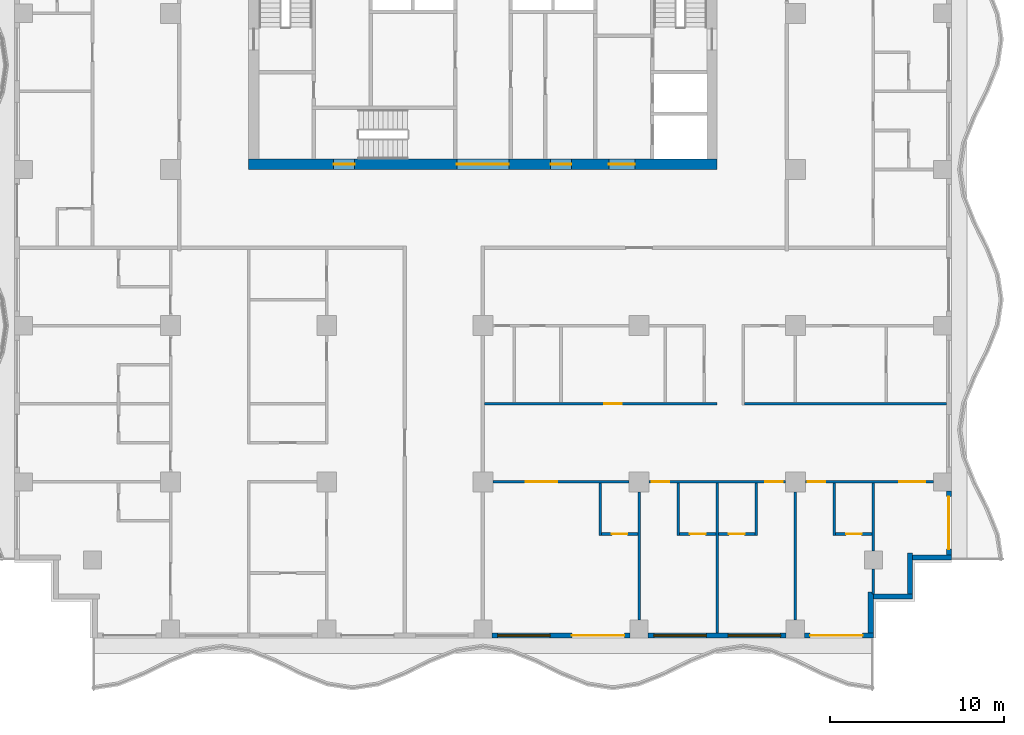
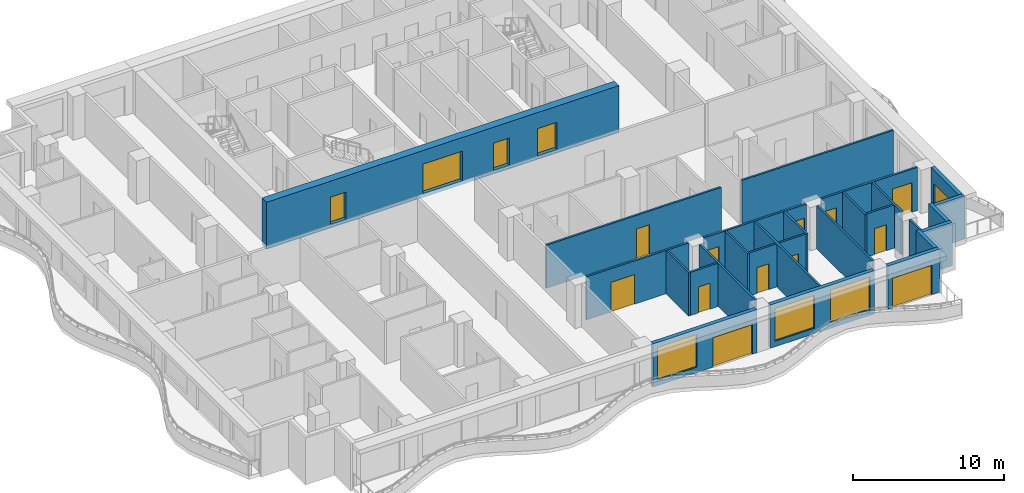
# One storey, part 3 of 11: 27 walls, 17 doors, 3 windows, 20 openings.
"""IFC4 building model written with IfcOpenShell, lengths in metres."""

from ifc_helpers import new_model, si_unit, direction, frame, frame_2d, origin, place, context, subcontext, project, spatial, rectangle, extrude, material, layer, layer_set, type_object, element, fill, save


model = new_model("IFC4")

# Units and contexts
model_context = context("Model", 3, precision=1e-05, world=origin(), true_north=direction((0.0, 1.0)))
body_context = subcontext(model_context, "Body", "Model", "MODEL_VIEW")
ifc_project = project(units=[si_unit("LENGTHUNIT", "METRE"), si_unit("AREAUNIT", "SQUARE_METRE"), si_unit("VOLUMEUNIT", "CUBIC_METRE"), si_unit("PLANEANGLEUNIT", "RADIAN"), si_unit("MASSUNIT", "GRAM", prefix="KILO")], contexts=[model_context])

# Site, building, storey
site_placement = place(None, origin())
site = spatial("IfcSite", under=ifc_project, at=site_placement, CompositionType="ELEMENT")
building_placement = place(site_placement, origin())
building = spatial("IfcBuilding", under=site, at=building_placement, Name="Orbiselva Terraces", CompositionType="ELEMENT")
storey_placement = place(building_placement, frame((0.0, 0.0, 188.2)))
storey = spatial("IfcBuildingStorey", under=building, at=storey_placement, Name="L47", CompositionType="ELEMENT", Elevation=188.2)

# Wall, openings, doors
ifc_material_1 = material(Name="Concrete C80/95", Category="concrete")
ifc_layer_1 = layer(ifc_material_1, 0.6)
ifc_layer_set_1 = layer_set([ifc_layer_1], Name="Concrete C80/95")
wall_type_1 = type_object("IfcWallType", Name="CORE WALL 600", PredefinedType="SHEAR", material=ifc_layer_set_1)
wall_1_placement = place(storey_placement, frame((-13.5, 4.8, -0.3), z_axis=(0.0, 0.0, 1.0), x_axis=(1.0, 0.0, 0.0)))
wall_1 = element("IfcWall", 1, at=wall_1_placement, inside=storey, type_object=wall_type_1, Name="Core wall L47 south", PredefinedType="SHEAR", context=body_context, shape_type="SweptSolid", body=[
    extrude(rectangle(XDim=27.0, YDim=0.6, at=frame_2d((13.5, 0.0))), origin(), (0.0, 0.0, 1.0), 3.8),
])
opening_1_placement = place(wall_1_placement, frame((12.0, 0.0, 0.3)))
opening_1 = element("IfcOpeningElement", 2, at=opening_1_placement, cuts=wall_1, Name="Opening DL3000", PredefinedType="OPENING", context=body_context, shape_type="SweptSolid", body=[
    extrude(rectangle(XDim=3.0, YDim=2.4, at=frame_2d((1.5, 1.2))), frame((0.0, 0.31, 0.0), z_axis=(0.0, -1.0, 0.0), x_axis=(1.0, 0.0, 0.0)), (0.0, 0.0, 1.0), 0.62),
])
opening_2_placement = place(wall_1_placement, frame((4.9, 0.0, 0.3)))
opening_2 = element("IfcOpeningElement", 3, at=opening_2_placement, cuts=wall_1, Name="Opening DS1200", PredefinedType="OPENING", context=body_context, shape_type="SweptSolid", body=[
    extrude(rectangle(XDim=1.2, YDim=2.2, at=frame_2d((0.6, 1.1))), frame((0.0, 0.31, 0.0), z_axis=(0.0, -1.0, 0.0), x_axis=(1.0, 0.0, 0.0)), (0.0, 0.0, 1.0), 0.62),
])
opening_3_placement = place(wall_1_placement, frame((20.75, 0.0, 0.3)))
opening_3 = element("IfcOpeningElement", 4, at=opening_3_placement, cuts=wall_1, Name="Opening DF1500", PredefinedType="OPENING", context=body_context, shape_type="SweptSolid", body=[
    extrude(rectangle(XDim=1.5, YDim=2.2, at=frame_2d((0.75, 1.1))), frame((0.0, 0.31, 0.0), z_axis=(0.0, -1.0, 0.0), x_axis=(1.0, 0.0, 0.0)), (0.0, 0.0, 1.0), 0.62),
])
opening_4_placement = place(wall_1_placement, frame((17.4, 0.0, 0.3)))
opening_4 = element("IfcOpeningElement", 5, at=opening_4_placement, cuts=wall_1, Name="Opening DV1200", PredefinedType="OPENING", context=body_context, shape_type="SweptSolid", body=[
    extrude(rectangle(XDim=1.2, YDim=2.2, at=frame_2d((0.6, 1.1))), frame((0.0, 0.31, 0.0), z_axis=(0.0, -1.0, 0.0), x_axis=(1.0, 0.0, 0.0)), (0.0, 0.0, 1.0), 0.62),
])
ifc_material_2 = material(Name="Steel fire door", Category="steel")
door_type_1 = type_object("IfcDoorType", Name="FFL DOOR 1500", OperationType="DOUBLE_DOOR_SINGLE_SWING", PredefinedType="DOOR", material=ifc_material_2)
door_1_placement = place(opening_3_placement, frame((1.5, 0.0, 0.0), z_axis=(0.0, 0.0, 1.0), x_axis=(-1.0, 0.0, 0.0)))
door_1 = element("IfcDoor", 6, at=door_1_placement, inside=storey, type_object=door_type_1, Name="L47 FIRE-FIGHTING LOBBY door", OperationType="DOUBLE_DOOR_SINGLE_SWING", OverallHeight=2.2, OverallWidth=1.5, PredefinedType="DOOR", context=body_context, shape_type="SweptSolid", body=[
    extrude(rectangle(XDim=1.5, YDim=2.2, at=frame_2d((0.75, 1.1))), frame((0.0, 0.025, 0.0), z_axis=(0.0, -1.0, 0.0), x_axis=(1.0, 0.0, 0.0)), (0.0, 0.0, 1.0), 0.05),
])
fill(opening_3, door_1)
door_type_2 = type_object("IfcDoorType", Name="LOBBY DOOR 3000", OperationType="DOUBLE_DOOR_SINGLE_SWING", PredefinedType="DOOR", material=ifc_material_2)
door_2_placement = place(opening_1_placement, frame((3.0, 0.0, 0.0), z_axis=(0.0, 0.0, 1.0), x_axis=(-1.0, 0.0, 0.0)))
door_2 = element("IfcDoor", 7, at=door_2_placement, inside=storey, type_object=door_type_2, Name="L47 LIFT LOBBY door", OperationType="DOUBLE_DOOR_SINGLE_SWING", OverallHeight=2.4, OverallWidth=3.0, PredefinedType="DOOR", context=body_context, shape_type="SweptSolid", body=[
    extrude(rectangle(XDim=3.0, YDim=2.4, at=frame_2d((1.5, 1.2))), frame((0.0, 0.025, 0.0), z_axis=(0.0, -1.0, 0.0), x_axis=(1.0, 0.0, 0.0)), (0.0, 0.0, 1.0), 0.05),
])
fill(opening_1, door_2)
door_type_3 = type_object("IfcDoorType", Name="SERVICE DOOR 1200", OperationType="NOTDEFINED", PredefinedType="DOOR", material=ifc_material_2)
door_3_placement = place(opening_4_placement, frame((1.2, 0.0, 0.0), z_axis=(0.0, 0.0, 1.0), x_axis=(-1.0, 0.0, 0.0)))
door_3 = element("IfcDoor", 8, at=door_3_placement, inside=storey, type_object=door_type_3, Name="L47 SERVICE ROOM door", OperationType="SINGLE_SWING_RIGHT", OverallHeight=2.2, OverallWidth=1.2, PredefinedType="DOOR", context=body_context, shape_type="SweptSolid", body=[
    extrude(rectangle(XDim=1.2, YDim=2.2, at=frame_2d((0.6, 1.1))), frame((0.0, 0.025, 0.0), z_axis=(0.0, -1.0, 0.0), x_axis=(1.0, 0.0, 0.0)), (0.0, 0.0, 1.0), 0.05),
])
fill(opening_4, door_3)
door_type_4 = type_object("IfcDoorType", Name="STAIR DOOR 1200", OperationType="NOTDEFINED", PredefinedType="DOOR", material=ifc_material_2)
door_4_placement = place(opening_2_placement, frame((1.2, 0.0, 0.0), z_axis=(0.0, 0.0, 1.0), x_axis=(-1.0, 0.0, 0.0)))
door_4 = element("IfcDoor", 9, at=door_4_placement, inside=storey, type_object=door_type_4, Name="L47 EXIT STAIR S3 door", OperationType="SINGLE_SWING_LEFT", OverallHeight=2.2, OverallWidth=1.2, PredefinedType="DOOR", context=body_context, shape_type="SweptSolid", body=[
    extrude(rectangle(XDim=1.2, YDim=2.2, at=frame_2d((0.6, 1.1))), frame((0.0, 0.025, 0.0), z_axis=(0.0, -1.0, 0.0), x_axis=(1.0, 0.0, 0.0)), (0.0, 0.0, 1.0), 0.05),
])
fill(opening_2, door_4)

# Wall, openings, door, window
ifc_material_3 = material(Name="Terracotta cladding on masonry backing", Category="masonry")
ifc_layer_2 = layer(ifc_material_3, 0.3)
ifc_layer_set_2 = layer_set([ifc_layer_2], Name="Terracotta cladding on masonry backing")
wall_type_2 = type_object("IfcWallType", Name="ENV-WALL-TERRACOTTA-300", PredefinedType="SOLIDWALL", material=ifc_layer_set_2)
wall_2_placement = place(storey_placement, frame((8.475, -22.35, 0.0), z_axis=(0.0, 0.0, 1.0), x_axis=(-1.0, 0.0, 0.0)))
wall_2 = element("IfcWall", 10, at=wall_2_placement, inside=storey, type_object=wall_type_2, Name="Facade wall L47 S", PredefinedType="SOLIDWALL", context=body_context, shape_type="SweptSolid", body=[
    extrude(rectangle(XDim=7.95, YDim=0.3, at=frame_2d((3.975, 0.0))), origin(), (0.0, 0.0, 1.0), 3.5),
])
opening_5_placement = place(wall_2_placement, frame((4.6, 0.0, 0.45)))
opening_5 = element("IfcOpeningElement", 11, at=opening_5_placement, cuts=wall_2, Name="Opening WN14", PredefinedType="OPENING", context=body_context, shape_type="SweptSolid", body=[
    extrude(rectangle(XDim=3.025, YDim=2.65, at=frame_2d((1.5125, 1.325))), frame((0.0, 0.16, 0.0), z_axis=(0.0, -1.0, 0.0), x_axis=(1.0, 0.0, 0.0)), (0.0, 0.0, 1.0), 0.32),
])
opening_6_placement = place(wall_2_placement, frame((0.325, 0.0, 0.0)))
opening_6 = element("IfcOpeningElement", 12, at=opening_6_placement, cuts=wall_2, Name="Opening Z4-A-E03", PredefinedType="OPENING", context=body_context, shape_type="SweptSolid", body=[
    extrude(rectangle(XDim=3.025, YDim=2.4, at=frame_2d((1.5125, 1.2))), frame((0.0, 0.16, 0.0), z_axis=(0.0, -1.0, 0.0), x_axis=(1.0, 0.0, 0.0)), (0.0, 0.0, 1.0), 0.32),
])
ifc_material_4 = material(Name="Clear low-e glazing in aluminium frame", Category="aluminium")
door_type_5 = type_object("IfcDoorType", Name="BALCONY DOOR 3025 X 2400", OperationType="DOUBLE_DOOR_SLIDING", PredefinedType="DOOR", material=ifc_material_4)
door_5_placement = place(opening_6_placement, origin())
door_5 = element("IfcDoor", 13, at=door_5_placement, inside=storey, type_object=door_type_5, Name="Z4-A-E03", OperationType="SINGLE_SWING_LEFT", OverallHeight=2.4, OverallWidth=3.025, PredefinedType="DOOR", context=body_context, shape_type="SweptSolid", body=[
    extrude(rectangle(XDim=3.025, YDim=2.4, at=frame_2d((1.5125, 1.2))), frame((0.0, 0.025, 0.0), z_axis=(0.0, -1.0, 0.0), x_axis=(1.0, 0.0, 0.0)), (0.0, 0.0, 1.0), 0.05),
])
fill(opening_6, door_5)
window_type = type_object("IfcWindowType", Name="WINDOW 3025 X 2650 S450", PartitioningType="TRIPLE_PANEL_VERTICAL", PredefinedType="WINDOW", material=ifc_material_4)
window_1_placement = place(opening_5_placement, origin())
window_1 = element("IfcWindow", 14, at=window_1_placement, inside=storey, type_object=window_type, Name="Window L47 S", OverallHeight=2.65, OverallWidth=3.025, PartitioningType="SINGLE_PANEL", PredefinedType="WINDOW", context=body_context, shape_type="SweptSolid", body=[
    extrude(rectangle(XDim=3.025, YDim=2.65, at=frame_2d((1.5125, 1.325))), frame((0.0, 0.03, 0.0), z_axis=(0.0, -1.0, 0.0), x_axis=(1.0, 0.0, 0.0)), (0.0, 0.0, 1.0), 0.06),
])
fill(opening_5, window_1)

# Wall, openings, windows
wall_3_placement = place(storey_placement, frame((17.475, -22.35, 0.0), z_axis=(0.0, 0.0, 1.0), x_axis=(-1.0, 0.0, 0.0)))
wall_3 = element("IfcWall", 15, at=wall_3_placement, inside=storey, type_object=wall_type_2, Name="Facade wall L47 S", PredefinedType="SOLIDWALL", context=body_context, shape_type="SweptSolid", body=[
    extrude(rectangle(XDim=7.95, YDim=0.3, at=frame_2d((3.975, 0.0))), origin(), (0.0, 0.0, 1.0), 3.5),
])
opening_7_placement = place(wall_3_placement, frame((4.6, 0.0, 0.45)))
opening_7 = element("IfcOpeningElement", 16, at=opening_7_placement, cuts=wall_3, Name="Opening WN14", PredefinedType="OPENING", context=body_context, shape_type="SweptSolid", body=[
    extrude(rectangle(XDim=3.025, YDim=2.65, at=frame_2d((1.5125, 1.325))), frame((0.0, 0.16, 0.0), z_axis=(0.0, -1.0, 0.0), x_axis=(1.0, 0.0, 0.0)), (0.0, 0.0, 1.0), 0.32),
])
opening_8_placement = place(wall_3_placement, frame((0.325, 0.0, 0.45)))
opening_8 = element("IfcOpeningElement", 17, at=opening_8_placement, cuts=wall_3, Name="Opening WN14", PredefinedType="OPENING", context=body_context, shape_type="SweptSolid", body=[
    extrude(rectangle(XDim=3.025, YDim=2.65, at=frame_2d((1.5125, 1.325))), frame((0.0, 0.16, 0.0), z_axis=(0.0, -1.0, 0.0), x_axis=(1.0, 0.0, 0.0)), (0.0, 0.0, 1.0), 0.32),
])
window_2_placement = place(opening_7_placement, origin())
window_2 = element("IfcWindow", 18, at=window_2_placement, inside=storey, type_object=window_type, Name="Window L47 S", OverallHeight=2.65, OverallWidth=3.025, PartitioningType="SINGLE_PANEL", PredefinedType="WINDOW", context=body_context, shape_type="SweptSolid", body=[
    extrude(rectangle(XDim=3.025, YDim=2.65, at=frame_2d((1.5125, 1.325))), frame((0.0, 0.03, 0.0), z_axis=(0.0, -1.0, 0.0), x_axis=(1.0, 0.0, 0.0)), (0.0, 0.0, 1.0), 0.06),
])
fill(opening_7, window_2)
window_3_placement = place(opening_8_placement, origin())
window_3 = element("IfcWindow", 19, at=window_3_placement, inside=storey, type_object=window_type, Name="Window L47 S", OverallHeight=2.65, OverallWidth=3.025, PartitioningType="SINGLE_PANEL", PredefinedType="WINDOW", context=body_context, shape_type="SweptSolid", body=[
    extrude(rectangle(XDim=3.025, YDim=2.65, at=frame_2d((1.5125, 1.325))), frame((0.0, 0.03, 0.0), z_axis=(0.0, -1.0, 0.0), x_axis=(1.0, 0.0, 0.0)), (0.0, 0.0, 1.0), 0.06),
])
fill(opening_8, window_3)

# Wall, opening, door
wall_4_placement = place(storey_placement, frame((22.5, -22.35, 0.0), z_axis=(0.0, 0.0, 1.0), x_axis=(-1.0, 0.0, 0.0)))
wall_4 = element("IfcWall", 20, at=wall_4_placement, inside=storey, type_object=wall_type_2, Name="Facade wall L47 S", PredefinedType="SOLIDWALL", context=body_context, shape_type="SweptSolid", body=[
    extrude(rectangle(XDim=3.975, YDim=0.3, at=frame_2d((1.9875, 0.0))), origin(), (0.0, 0.0, 1.0), 3.5),
])
opening_9_placement = place(wall_4_placement, frame((0.625, 0.0, 0.0)))
opening_9 = element("IfcOpeningElement", 21, at=opening_9_placement, cuts=wall_4, Name="Opening Z4-A-E15", PredefinedType="OPENING", context=body_context, shape_type="SweptSolid", body=[
    extrude(rectangle(XDim=3.025, YDim=2.4, at=frame_2d((1.5125, 1.2))), frame((0.0, 0.16, 0.0), z_axis=(0.0, -1.0, 0.0), x_axis=(1.0, 0.0, 0.0)), (0.0, 0.0, 1.0), 0.32),
])
door_6_placement = place(opening_9_placement, origin())
door_6 = element("IfcDoor", 22, at=door_6_placement, inside=storey, type_object=door_type_5, Name="Z4-A-E15", OperationType="SINGLE_SWING_LEFT", OverallHeight=2.4, OverallWidth=3.025, PredefinedType="DOOR", context=body_context, shape_type="SweptSolid", body=[
    extrude(rectangle(XDim=3.025, YDim=2.4, at=frame_2d((1.5125, 1.2))), frame((0.0, 0.025, 0.0), z_axis=(0.0, -1.0, 0.0), x_axis=(1.0, 0.0, 0.0)), (0.0, 0.0, 1.0), 0.05),
])
fill(opening_9, door_6)

# Walls
wall_5_placement = place(storey_placement, frame((22.35, -19.85, 0.0), z_axis=(0.0, 0.0, 1.0), x_axis=(0.0, -1.0, 0.0)))
element("IfcWall", 23, at=wall_5_placement, inside=storey, type_object=wall_type_2, Name="Facade wall L47 STEP", PredefinedType="SOLIDWALL", context=body_context, shape_type="SweptSolid", body=[
    extrude(rectangle(XDim=2.35, YDim=0.3, at=frame_2d((1.175, 0.0))), origin(), (0.0, 0.0, 1.0), 3.5),
])
wall_6_placement = place(storey_placement, frame((24.75, -20.1, 0.0), z_axis=(0.0, 0.0, 1.0), x_axis=(-1.0, 0.0, 0.0)))
element("IfcWall", 24, at=wall_6_placement, inside=storey, type_object=wall_type_2, Name="Facade wall L47 STEP", PredefinedType="SOLIDWALL", context=body_context, shape_type="SweptSolid", body=[
    extrude(rectangle(XDim=2.25, YDim=0.3, at=frame_2d((1.125, 0.0))), origin(), (0.0, 0.0, 1.0), 3.5),
])
wall_7_placement = place(storey_placement, frame((24.6, -17.6, 0.0), z_axis=(0.0, 0.0, 1.0), x_axis=(0.0, -1.0, 0.0)))
element("IfcWall", 25, at=wall_7_placement, inside=storey, type_object=wall_type_2, Name="Facade wall L47 STEP", PredefinedType="SOLIDWALL", context=body_context, shape_type="SweptSolid", body=[
    extrude(rectangle(XDim=2.35, YDim=0.3, at=frame_2d((1.175, 0.0))), origin(), (0.0, 0.0, 1.0), 3.5),
])
wall_8_placement = place(storey_placement, frame((27.0, -17.85, 0.0), z_axis=(0.0, 0.0, 1.0), x_axis=(-1.0, 0.0, 0.0)))
element("IfcWall", 26, at=wall_8_placement, inside=storey, type_object=wall_type_2, Name="Facade wall L47 STEP", PredefinedType="SOLIDWALL", context=body_context, shape_type="SweptSolid", body=[
    extrude(rectangle(XDim=2.25, YDim=0.3, at=frame_2d((1.125, 0.0))), origin(), (0.0, 0.0, 1.0), 3.5),
])

# Wall, opening, door
wall_9_placement = place(storey_placement, frame((26.85, -14.025, 0.0), z_axis=(0.0, 0.0, 1.0), x_axis=(0.0, -1.0, 0.0)))
wall_9 = element("IfcWall", 27, at=wall_9_placement, inside=storey, type_object=wall_type_2, Name="Facade wall L47 E", PredefinedType="SOLIDWALL", context=body_context, shape_type="SweptSolid", body=[
    extrude(rectangle(XDim=3.675, YDim=0.3, at=frame_2d((1.8375, 0.0))), origin(), (0.0, 0.0, 1.0), 3.5),
])
opening_10_placement = place(wall_9_placement, frame((0.325, 0.0, 0.0)))
opening_10 = element("IfcOpeningElement", 28, at=opening_10_placement, cuts=wall_9, Name="Opening Z4-A-E05", PredefinedType="OPENING", context=body_context, shape_type="SweptSolid", body=[
    extrude(rectangle(XDim=3.025, YDim=2.4, at=frame_2d((1.5125, 1.2))), frame((0.0, 0.16, 0.0), z_axis=(0.0, -1.0, 0.0), x_axis=(1.0, 0.0, 0.0)), (0.0, 0.0, 1.0), 0.32),
])
door_7_placement = place(opening_10_placement, origin())
door_7 = element("IfcDoor", 29, at=door_7_placement, inside=storey, type_object=door_type_5, Name="Z4-A-E05", OperationType="SINGLE_SWING_LEFT", OverallHeight=2.4, OverallWidth=3.025, PredefinedType="DOOR", context=body_context, shape_type="SweptSolid", body=[
    extrude(rectangle(XDim=3.025, YDim=2.4, at=frame_2d((1.5125, 1.2))), frame((0.0, 0.025, 0.0), z_axis=(0.0, -1.0, 0.0), x_axis=(1.0, 0.0, 0.0)), (0.0, 0.0, 1.0), 0.05),
])
fill(opening_10, door_7)

ifc_material_5 = material(Name="Plasterboard on steel stud partition", Category="steel")
ifc_layer_3 = layer(ifc_material_5, 0.15)
ifc_layer_set_3 = layer_set([ifc_layer_3], Name="Plasterboard on steel stud partition")
wall_type_3 = type_object("IfcWallType", Name="UNIT-PARTITION-150", PredefinedType="PARTITIONING", material=ifc_layer_set_3)
wall_10_placement = place(storey_placement, frame((6.825, -16.5, 0.0), z_axis=(0.0, 0.0, 1.0), x_axis=(1.0, 0.0, 0.0)))
wall_10 = element("IfcWall", 30, at=wall_10_placement, inside=storey, type_object=wall_type_3, Name="PARTITION L47-002", PredefinedType="PARTITIONING", context=body_context, shape_type="SweptSolid", body=[
    extrude(rectangle(XDim=2.1, YDim=0.15, at=frame_2d((1.05, 0.0))), origin(), (0.0, 0.0, 1.0), 3.5),
])
opening_11_placement = place(wall_10_placement, frame((0.6, 0.0, 0.0)))
opening_11 = element("IfcOpeningElement", 31, at=opening_11_placement, cuts=wall_10, Name="Opening Z4-A-37", PredefinedType="OPENING", context=body_context, shape_type="SweptSolid", body=[
    extrude(rectangle(XDim=0.9, YDim=2.1, at=frame_2d((0.45, 1.05))), frame((0.0, 0.085, 0.0), z_axis=(0.0, -1.0, 0.0), x_axis=(1.0, 0.0, 0.0)), (0.0, 0.0, 1.0), 0.17),
])
ifc_material_6 = material(Name="Painted timber door leaf", Category="wood")
door_type_6 = type_object("IfcDoorType", Name="BATH DOOR 900", OperationType="NOTDEFINED", PredefinedType="DOOR", material=ifc_material_6)
door_8_placement = place(opening_11_placement, origin())
door_8 = element("IfcDoor", 32, at=door_8_placement, inside=storey, type_object=door_type_6, Name="Z4-A-37", OperationType="SINGLE_SWING_LEFT", OverallHeight=2.1, OverallWidth=0.9, PredefinedType="DOOR", context=body_context, shape_type="SweptSolid", body=[
    extrude(rectangle(XDim=0.9, YDim=2.1, at=frame_2d((0.45, 1.05))), frame((0.0, 0.025, 0.0), z_axis=(0.0, -1.0, 0.0), x_axis=(1.0, 0.0, 0.0)), (0.0, 0.0, 1.0), 0.05),
])
fill(opening_11, door_8)

wall_11_placement = place(storey_placement, frame((11.325, -16.5, 0.0), z_axis=(0.0, 0.0, 1.0), x_axis=(1.0, 0.0, 0.0)))
wall_11 = element("IfcWall", 33, at=wall_11_placement, inside=storey, type_object=wall_type_3, Name="PARTITION L47-003", PredefinedType="PARTITIONING", context=body_context, shape_type="SweptSolid", body=[
    extrude(rectangle(XDim=2.1, YDim=0.15, at=frame_2d((1.05, 0.0))), origin(), (0.0, 0.0, 1.0), 3.5),
])
opening_12_placement = place(wall_11_placement, frame((0.6, 0.0, 0.0)))
opening_12 = element("IfcOpeningElement", 34, at=opening_12_placement, cuts=wall_11, Name="Opening Z4-A-39", PredefinedType="OPENING", context=body_context, shape_type="SweptSolid", body=[
    extrude(rectangle(XDim=0.9, YDim=2.1, at=frame_2d((0.45, 1.05))), frame((0.0, 0.085, 0.0), z_axis=(0.0, -1.0, 0.0), x_axis=(1.0, 0.0, 0.0)), (0.0, 0.0, 1.0), 0.17),
])
door_9_placement = place(opening_12_placement, origin())
door_9 = element("IfcDoor", 35, at=door_9_placement, inside=storey, type_object=door_type_6, Name="Z4-A-39", OperationType="SINGLE_SWING_LEFT", OverallHeight=2.1, OverallWidth=0.9, PredefinedType="DOOR", context=body_context, shape_type="SweptSolid", body=[
    extrude(rectangle(XDim=0.9, YDim=2.1, at=frame_2d((0.45, 1.05))), frame((0.0, 0.025, 0.0), z_axis=(0.0, -1.0, 0.0), x_axis=(1.0, 0.0, 0.0)), (0.0, 0.0, 1.0), 0.05),
])
fill(opening_12, door_9)

wall_12_placement = place(storey_placement, frame((13.575, -16.5, 0.0), z_axis=(0.0, 0.0, 1.0), x_axis=(1.0, 0.0, 0.0)))
wall_12 = element("IfcWall", 36, at=wall_12_placement, inside=storey, type_object=wall_type_3, Name="PARTITION L47-004", PredefinedType="PARTITIONING", context=body_context, shape_type="SweptSolid", body=[
    extrude(rectangle(XDim=2.1, YDim=0.15, at=frame_2d((1.05, 0.0))), origin(), (0.0, 0.0, 1.0), 3.5),
])
opening_13_placement = place(wall_12_placement, frame((0.6, 0.0, 0.0)))
opening_13 = element("IfcOpeningElement", 37, at=opening_13_placement, cuts=wall_12, Name="Opening Z4-A-41", PredefinedType="OPENING", context=body_context, shape_type="SweptSolid", body=[
    extrude(rectangle(XDim=0.9, YDim=2.1, at=frame_2d((0.45, 1.05))), frame((0.0, 0.085, 0.0), z_axis=(0.0, -1.0, 0.0), x_axis=(1.0, 0.0, 0.0)), (0.0, 0.0, 1.0), 0.17),
])
door_10_placement = place(opening_13_placement, origin())
door_10 = element("IfcDoor", 38, at=door_10_placement, inside=storey, type_object=door_type_6, Name="Z4-A-41", OperationType="SINGLE_SWING_LEFT", OverallHeight=2.1, OverallWidth=0.9, PredefinedType="DOOR", context=body_context, shape_type="SweptSolid", body=[
    extrude(rectangle(XDim=0.9, YDim=2.1, at=frame_2d((0.45, 1.05))), frame((0.0, 0.025, 0.0), z_axis=(0.0, -1.0, 0.0), x_axis=(1.0, 0.0, 0.0)), (0.0, 0.0, 1.0), 0.05),
])
fill(opening_13, door_10)

wall_13_placement = place(storey_placement, frame((20.325, -16.5, 0.0), z_axis=(0.0, 0.0, 1.0), x_axis=(1.0, 0.0, 0.0)))
wall_13 = element("IfcWall", 39, at=wall_13_placement, inside=storey, type_object=wall_type_3, Name="PARTITION L47-005", PredefinedType="PARTITIONING", context=body_context, shape_type="SweptSolid", body=[
    extrude(rectangle(XDim=2.1, YDim=0.15, at=frame_2d((1.05, 0.0))), origin(), (0.0, 0.0, 1.0), 3.5),
])
opening_14_placement = place(wall_13_placement, frame((0.6, 0.0, 0.0)))
opening_14 = element("IfcOpeningElement", 40, at=opening_14_placement, cuts=wall_13, Name="Opening Z4-A-43", PredefinedType="OPENING", context=body_context, shape_type="SweptSolid", body=[
    extrude(rectangle(XDim=0.9, YDim=2.1, at=frame_2d((0.45, 1.05))), frame((0.0, 0.085, 0.0), z_axis=(0.0, -1.0, 0.0), x_axis=(1.0, 0.0, 0.0)), (0.0, 0.0, 1.0), 0.17),
])
door_11_placement = place(opening_14_placement, origin())
door_11 = element("IfcDoor", 41, at=door_11_placement, inside=storey, type_object=door_type_6, Name="Z4-A-43", OperationType="SINGLE_SWING_LEFT", OverallHeight=2.1, OverallWidth=0.9, PredefinedType="DOOR", context=body_context, shape_type="SweptSolid", body=[
    extrude(rectangle(XDim=0.9, YDim=2.1, at=frame_2d((0.45, 1.05))), frame((0.0, 0.025, 0.0), z_axis=(0.0, -1.0, 0.0), x_axis=(1.0, 0.0, 0.0)), (0.0, 0.0, 1.0), 0.05),
])
fill(opening_14, door_11)

wall_14_placement = place(storey_placement, frame((8.425, -13.5, 0.0), z_axis=(0.0, 0.0, 1.0), x_axis=(-1.0, 0.0, 0.0)))
wall_14 = element("IfcWall", 42, at=wall_14_placement, inside=storey, type_object=wall_type_3, Name="PARTITION L47-009", PredefinedType="PARTITIONING", context=body_context, shape_type="SweptSolid", body=[
    extrude(rectangle(XDim=7.85, YDim=0.15, at=frame_2d((3.925, 0.0))), origin(), (0.0, 0.0, 1.0), 3.5),
])
opening_15_placement = place(wall_14_placement, frame((4.15, 0.0, 0.0)))
opening_15 = element("IfcOpeningElement", 43, at=opening_15_placement, cuts=wall_14, Name="Opening Z4-A-36", PredefinedType="OPENING", context=body_context, shape_type="SweptSolid", body=[
    extrude(rectangle(XDim=1.8, YDim=2.4, at=frame_2d((0.9, 1.2))), frame((0.0, 0.085, 0.0), z_axis=(0.0, -1.0, 0.0), x_axis=(1.0, 0.0, 0.0)), (0.0, 0.0, 1.0), 0.17),
])
door_type_7 = type_object("IfcDoorType", Name="DOUBLE DOOR 1800", OperationType="NOTDEFINED", PredefinedType="DOOR", material=ifc_material_6)
door_12_placement = place(opening_15_placement, origin())
door_12 = element("IfcDoor", 44, at=door_12_placement, inside=storey, type_object=door_type_7, Name="Z4-A-36", OperationType="DOUBLE_DOOR_SINGLE_SWING", OverallHeight=2.4, OverallWidth=1.8, PredefinedType="DOOR", context=body_context, shape_type="SweptSolid", body=[
    extrude(rectangle(XDim=1.8, YDim=2.4, at=frame_2d((0.9, 1.2))), frame((0.0, 0.025, 0.0), z_axis=(0.0, -1.0, 0.0), x_axis=(1.0, 0.0, 0.0)), (0.0, 0.0, 1.0), 0.05),
])
fill(opening_15, door_12)

# Wall, openings, doors
wall_15_placement = place(storey_placement, frame((17.425, -13.5, 0.0), z_axis=(0.0, 0.0, 1.0), x_axis=(-1.0, 0.0, 0.0)))
wall_15 = element("IfcWall", 45, at=wall_15_placement, inside=storey, type_object=wall_type_3, Name="PARTITION L47-010", PredefinedType="PARTITIONING", context=body_context, shape_type="SweptSolid", body=[
    extrude(rectangle(XDim=7.85, YDim=0.15, at=frame_2d((3.925, 0.0))), origin(), (0.0, 0.0, 1.0), 3.5),
])
opening_16_placement = place(wall_15_placement, frame((6.7, 0.0, 0.0)))
opening_16 = element("IfcOpeningElement", 46, at=opening_16_placement, cuts=wall_15, Name="Opening Z4-A-38", PredefinedType="OPENING", context=body_context, shape_type="SweptSolid", body=[
    extrude(rectangle(XDim=1.0, YDim=2.4, at=frame_2d((0.5, 1.2))), frame((0.0, 0.085, 0.0), z_axis=(0.0, -1.0, 0.0), x_axis=(1.0, 0.0, 0.0)), (0.0, 0.0, 1.0), 0.17),
])
opening_17_placement = place(wall_15_placement, frame((0.15, 0.0, 0.0)))
opening_17 = element("IfcOpeningElement", 47, at=opening_17_placement, cuts=wall_15, Name="Opening Z4-A-40", PredefinedType="OPENING", context=body_context, shape_type="SweptSolid", body=[
    extrude(rectangle(XDim=1.0, YDim=2.4, at=frame_2d((0.5, 1.2))), frame((0.0, 0.085, 0.0), z_axis=(0.0, -1.0, 0.0), x_axis=(1.0, 0.0, 0.0)), (0.0, 0.0, 1.0), 0.17),
])
door_type_8 = type_object("IfcDoorType", Name="ROOM DOOR 1000", OperationType="NOTDEFINED", PredefinedType="DOOR", material=ifc_material_6)
door_13_placement = place(opening_16_placement, origin())
door_13 = element("IfcDoor", 48, at=door_13_placement, inside=storey, type_object=door_type_8, Name="Z4-A-38", OperationType="SINGLE_SWING_RIGHT", OverallHeight=2.4, OverallWidth=1.0, PredefinedType="DOOR", context=body_context, shape_type="SweptSolid", body=[
    extrude(rectangle(XDim=1.0, YDim=2.4, at=frame_2d((0.5, 1.2))), frame((0.0, 0.025, 0.0), z_axis=(0.0, -1.0, 0.0), x_axis=(1.0, 0.0, 0.0)), (0.0, 0.0, 1.0), 0.05),
])
fill(opening_16, door_13)
door_14_placement = place(opening_17_placement, origin())
door_14 = element("IfcDoor", 49, at=door_14_placement, inside=storey, type_object=door_type_8, Name="Z4-A-40", OperationType="SINGLE_SWING_LEFT", OverallHeight=2.4, OverallWidth=1.0, PredefinedType="DOOR", context=body_context, shape_type="SweptSolid", body=[
    extrude(rectangle(XDim=1.0, YDim=2.4, at=frame_2d((0.5, 1.2))), frame((0.0, 0.025, 0.0), z_axis=(0.0, -1.0, 0.0), x_axis=(1.0, 0.0, 0.0)), (0.0, 0.0, 1.0), 0.05),
])
fill(opening_17, door_14)

wall_16_placement = place(storey_placement, frame((25.95, -13.5, 0.0), z_axis=(0.0, 0.0, 1.0), x_axis=(-1.0, 0.0, 0.0)))
wall_16 = element("IfcWall", 50, at=wall_16_placement, inside=storey, type_object=wall_type_3, Name="PARTITION L47-011", PredefinedType="PARTITIONING", context=body_context, shape_type="SweptSolid", body=[
    extrude(rectangle(XDim=7.375, YDim=0.15, at=frame_2d((3.6875, 0.0))), origin(), (0.0, 0.0, 1.0), 3.5),
])
opening_18_placement = place(wall_16_placement, frame((6.225, 0.0, 0.0)))
opening_18 = element("IfcOpeningElement", 51, at=opening_18_placement, cuts=wall_16, Name="Opening Z4-A-42", PredefinedType="OPENING", context=body_context, shape_type="SweptSolid", body=[
    extrude(rectangle(XDim=1.0, YDim=2.4, at=frame_2d((0.5, 1.2))), frame((0.0, 0.085, 0.0), z_axis=(0.0, -1.0, 0.0), x_axis=(1.0, 0.0, 0.0)), (0.0, 0.0, 1.0), 0.17),
])
opening_19_placement = place(wall_16_placement, frame((0.45, 0.0, 0.0)))
opening_19 = element("IfcOpeningElement", 52, at=opening_19_placement, cuts=wall_16, Name="Opening Z4-A-44", PredefinedType="OPENING", context=body_context, shape_type="SweptSolid", body=[
    extrude(rectangle(XDim=1.5, YDim=2.4, at=frame_2d((0.75, 1.2))), frame((0.0, 0.085, 0.0), z_axis=(0.0, -1.0, 0.0), x_axis=(1.0, 0.0, 0.0)), (0.0, 0.0, 1.0), 0.17),
])
door_type_9 = type_object("IfcDoorType", Name="DOUBLE DOOR 1500", OperationType="NOTDEFINED", PredefinedType="DOOR", material=ifc_material_6)
door_15_placement = place(opening_19_placement, origin())
door_15 = element("IfcDoor", 53, at=door_15_placement, inside=storey, type_object=door_type_9, Name="Z4-A-44", OperationType="DOUBLE_DOOR_SINGLE_SWING", OverallHeight=2.4, OverallWidth=1.5, PredefinedType="DOOR", context=body_context, shape_type="SweptSolid", body=[
    extrude(rectangle(XDim=1.5, YDim=2.4, at=frame_2d((0.75, 1.2))), frame((0.0, 0.025, 0.0), z_axis=(0.0, -1.0, 0.0), x_axis=(1.0, 0.0, 0.0)), (0.0, 0.0, 1.0), 0.05),
])
fill(opening_19, door_15)
door_16_placement = place(opening_18_placement, origin())
door_16 = element("IfcDoor", 54, at=door_16_placement, inside=storey, type_object=door_type_8, Name="Z4-A-42", OperationType="SINGLE_SWING_RIGHT", OverallHeight=2.4, OverallWidth=1.0, PredefinedType="DOOR", context=body_context, shape_type="SweptSolid", body=[
    extrude(rectangle(XDim=1.0, YDim=2.4, at=frame_2d((0.5, 1.2))), frame((0.0, 0.025, 0.0), z_axis=(0.0, -1.0, 0.0), x_axis=(1.0, 0.0, 0.0)), (0.0, 0.0, 1.0), 0.05),
])
fill(opening_18, door_16)

# Wall, opening, door
wall_17_placement = place(storey_placement, frame((0.1, -9.0, 0.0), z_axis=(0.0, 0.0, 1.0), x_axis=(1.0, 0.0, 0.0)))
wall_17 = element("IfcWall", 55, at=wall_17_placement, inside=storey, type_object=wall_type_3, Name="PARTITION L47-017", PredefinedType="PARTITIONING", context=body_context, shape_type="SweptSolid", body=[
    extrude(rectangle(XDim=13.4, YDim=0.15, at=frame_2d((6.7, 0.0))), origin(), (0.0, 0.0, 1.0), 3.5),
])
opening_20_placement = place(wall_17_placement, frame((6.9, 0.0, 0.0)))
opening_20 = element("IfcOpeningElement", 56, at=opening_20_placement, cuts=wall_17, Name="Opening Z4-A-31", PredefinedType="OPENING", context=body_context, shape_type="SweptSolid", body=[
    extrude(rectangle(XDim=1.0, YDim=2.4, at=frame_2d((0.5, 1.2))), frame((0.0, 0.085, 0.0), z_axis=(0.0, -1.0, 0.0), x_axis=(1.0, 0.0, 0.0)), (0.0, 0.0, 1.0), 0.17),
])
door_17_placement = place(opening_20_placement, origin())
door_17 = element("IfcDoor", 57, at=door_17_placement, inside=storey, type_object=door_type_8, Name="Z4-A-31", OperationType="SINGLE_SWING_RIGHT", OverallHeight=2.4, OverallWidth=1.0, PredefinedType="DOOR", context=body_context, shape_type="SweptSolid", body=[
    extrude(rectangle(XDim=1.0, YDim=2.4, at=frame_2d((0.5, 1.2))), frame((0.0, 0.025, 0.0), z_axis=(0.0, -1.0, 0.0), x_axis=(1.0, 0.0, 0.0)), (0.0, 0.0, 1.0), 0.05),
])
fill(opening_20, door_17)

# Walls
wall_18_placement = place(storey_placement, frame((15.075, -9.0, 0.0), z_axis=(0.0, 0.0, 1.0), x_axis=(1.0, 0.0, 0.0)))
element("IfcWall", 58, at=wall_18_placement, inside=storey, type_object=wall_type_3, Name="PARTITION L47-018", PredefinedType="PARTITIONING", context=body_context, shape_type="SweptSolid", body=[
    extrude(rectangle(XDim=11.625, YDim=0.15, at=frame_2d((5.8125, 0.0))), origin(), (0.0, 0.0, 1.0), 3.5),
])
wall_19_placement = place(storey_placement, frame((6.75, -16.575, 0.0), z_axis=(0.0, 0.0, 1.0), x_axis=(0.0, 1.0, 0.0)))
element("IfcWall", 59, at=wall_19_placement, inside=storey, type_object=wall_type_3, Name="PARTITION L47-064", PredefinedType="PARTITIONING", context=body_context, shape_type="SweptSolid", body=[
    extrude(rectangle(XDim=3.0, YDim=0.15, at=frame_2d((1.5, 0.0))), origin(), (0.0, 0.0, 1.0), 3.5),
])
wall_20_placement = place(storey_placement, frame((9.0, -21.45, 0.0), z_axis=(0.0, 0.0, 1.0), x_axis=(0.0, 1.0, 0.0)))
element("IfcWall", 60, at=wall_20_placement, inside=storey, type_object=wall_type_3, Name="PARTITION L47-065", PredefinedType="PARTITIONING", context=body_context, shape_type="SweptSolid", body=[
    extrude(rectangle(XDim=7.375, YDim=0.15, at=frame_2d((3.6875, 0.0))), origin(), (0.0, 0.0, 1.0), 3.5),
])
wall_21_placement = place(storey_placement, frame((11.25, -16.575, 0.0), z_axis=(0.0, 0.0, 1.0), x_axis=(0.0, 1.0, 0.0)))
element("IfcWall", 61, at=wall_21_placement, inside=storey, type_object=wall_type_3, Name="PARTITION L47-067", PredefinedType="PARTITIONING", context=body_context, shape_type="SweptSolid", body=[
    extrude(rectangle(XDim=3.0, YDim=0.15, at=frame_2d((1.5, 0.0))), origin(), (0.0, 0.0, 1.0), 3.5),
])
wall_22_placement = place(storey_placement, frame((13.5, -22.2, 0.0), z_axis=(0.0, 0.0, 1.0), x_axis=(0.0, 1.0, 0.0)))
element("IfcWall", 62, at=wall_22_placement, inside=storey, type_object=wall_type_3, Name="PARTITION L47-069", PredefinedType="PARTITIONING", context=body_context, shape_type="SweptSolid", body=[
    extrude(rectangle(XDim=8.625, YDim=0.15, at=frame_2d((4.3125, 0.0))), origin(), (0.0, 0.0, 1.0), 3.5),
])
wall_23_placement = place(storey_placement, frame((15.75, -16.575, 0.0), z_axis=(0.0, 0.0, 1.0), x_axis=(0.0, 1.0, 0.0)))
element("IfcWall", 63, at=wall_23_placement, inside=storey, type_object=wall_type_3, Name="PARTITION L47-071", PredefinedType="PARTITIONING", context=body_context, shape_type="SweptSolid", body=[
    extrude(rectangle(XDim=3.0, YDim=0.15, at=frame_2d((1.5, 0.0))), origin(), (0.0, 0.0, 1.0), 3.5),
])
wall_24_placement = place(storey_placement, frame((18.0, -21.45, 0.0), z_axis=(0.0, 0.0, 1.0), x_axis=(0.0, 1.0, 0.0)))
element("IfcWall", 64, at=wall_24_placement, inside=storey, type_object=wall_type_3, Name="PARTITION L47-076", PredefinedType="PARTITIONING", context=body_context, shape_type="SweptSolid", body=[
    extrude(rectangle(XDim=7.375, YDim=0.15, at=frame_2d((3.6875, 0.0))), origin(), (0.0, 0.0, 1.0), 3.5),
])
wall_25_placement = place(storey_placement, frame((20.25, -16.575, 0.0), z_axis=(0.0, 0.0, 1.0), x_axis=(0.0, 1.0, 0.0)))
element("IfcWall", 65, at=wall_25_placement, inside=storey, type_object=wall_type_3, Name="PARTITION L47-078", PredefinedType="PARTITIONING", context=body_context, shape_type="SweptSolid", body=[
    extrude(rectangle(XDim=3.0, YDim=0.15, at=frame_2d((1.5, 0.0))), origin(), (0.0, 0.0, 1.0), 3.5),
])
wall_26_placement = place(storey_placement, frame((22.5, -19.95, 0.0), z_axis=(0.0, 0.0, 1.0), x_axis=(0.0, 1.0, 0.0)))
element("IfcWall", 66, at=wall_26_placement, inside=storey, type_object=wall_type_3, Name="PARTITION L47-079", PredefinedType="PARTITIONING", context=body_context, shape_type="SweptSolid", body=[
    extrude(rectangle(XDim=1.425, YDim=0.15, at=frame_2d((0.7125, 0.0))), origin(), (0.0, 0.0, 1.0), 3.5),
])
wall_27_placement = place(storey_placement, frame((22.5, -17.475, 0.0), z_axis=(0.0, 0.0, 1.0), x_axis=(0.0, 1.0, 0.0)))
element("IfcWall", 67, at=wall_27_placement, inside=storey, type_object=wall_type_3, Name="PARTITION L47-080", PredefinedType="PARTITIONING", context=body_context, shape_type="SweptSolid", body=[
    extrude(rectangle(XDim=3.9, YDim=0.15, at=frame_2d((1.95, 0.0))), origin(), (0.0, 0.0, 1.0), 3.5),
])

save(model, "model.ifc")
